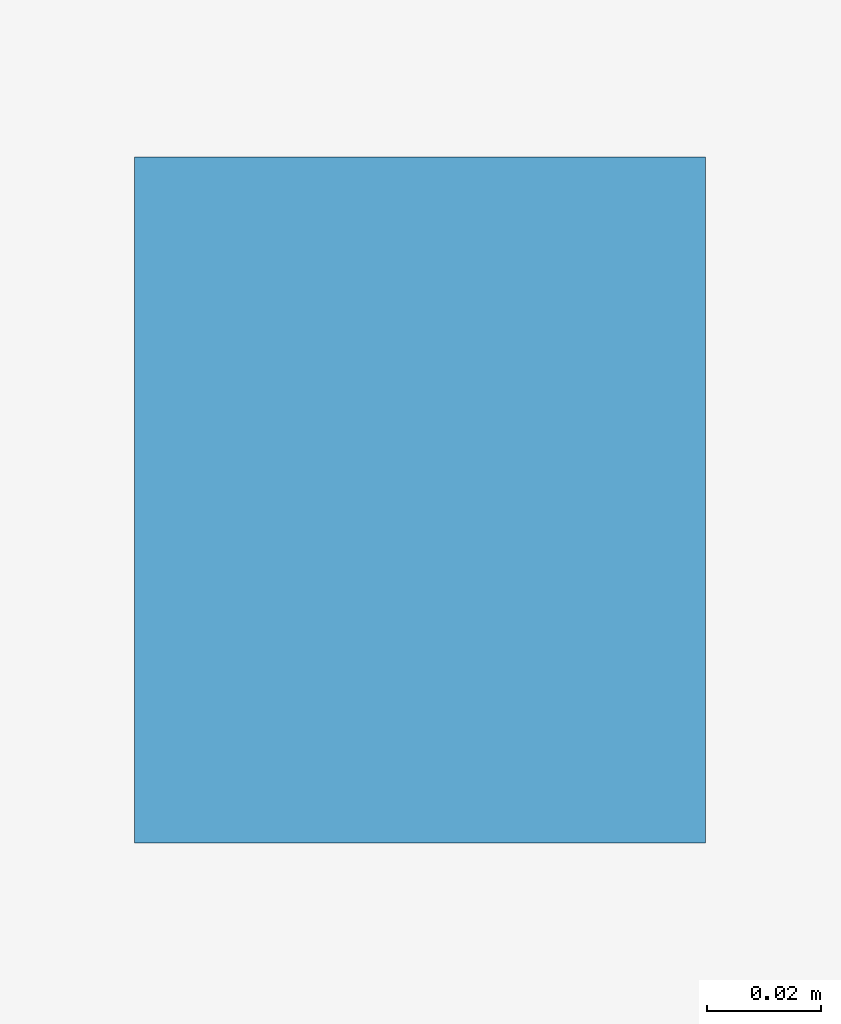
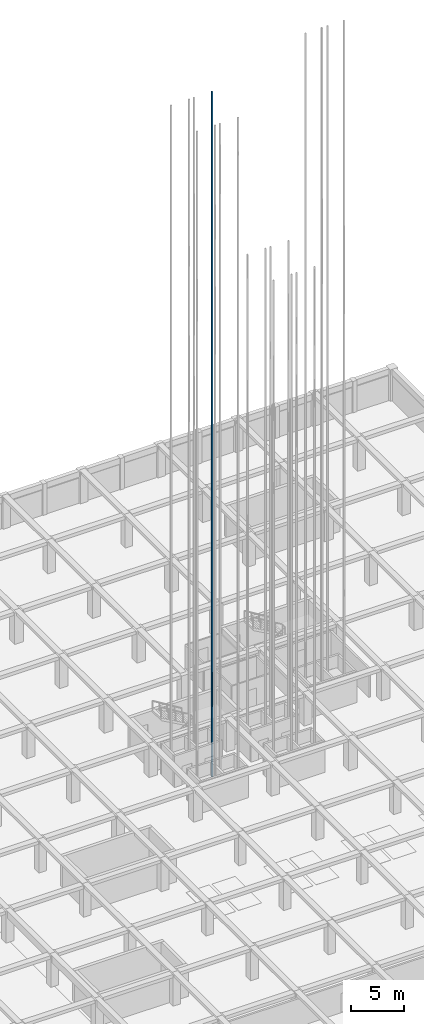
# One storey, part 32 of 47: 1 discrete accessory.
"""IFC4 building model written with IfcOpenShell, lengths in metres."""

from ifc_helpers import new_model, si_unit, direction, frame, origin, origin_2d, place, context, subcontext, project, spatial, rectangle, extrude, material, layer, layer_set, type_object, element, save


model = new_model("IFC4")

# Units and contexts
model_context = context("Model", 3, precision=1e-05, world=origin(), true_north=direction((0.0, 1.0)))
body_context = subcontext(model_context, "Body", "Model", "MODEL_VIEW")
ifc_project = project(units=[si_unit("LENGTHUNIT", "METRE"), si_unit("AREAUNIT", "SQUARE_METRE"), si_unit("VOLUMEUNIT", "CUBIC_METRE"), si_unit("PLANEANGLEUNIT", "RADIAN"), si_unit("MASSUNIT", "GRAM", prefix="KILO")], contexts=[model_context])

# Site, building, storey
site_placement = place(None, origin())
site = spatial("IfcSite", under=ifc_project, at=site_placement, CompositionType="ELEMENT")
building_placement = place(site_placement, origin())
building = spatial("IfcBuilding", under=site, at=building_placement, Name="Almacenes y Pasaje Nevantli", CompositionType="ELEMENT")
storey_placement = place(building_placement, frame((0.0, 0.0, -8.10009765625)))
storey = spatial("IfcBuildingStorey", under=building, at=storey_placement, Name="B02", CompositionType="ELEMENT", Elevation=-8.10009765625)

# Discrete accessory
ifc_material = material(Name="Steel ASTM A36", Category="steel")
ifc_layer = layer(ifc_material, 0.1201171875)
ifc_layer_set = layer_set([ifc_layer], Name="Steel ASTM A36")
discrete_accessory_type = type_object("IfcDiscreteAccessoryType", Name="ACC-LIFT-RAIL", PredefinedType="BRACKET", material=ifc_layer_set)
discrete_accessory_placement = place(storey_placement, frame((123.22998046875, 73.85009765625, -1.199951171875), z_axis=(0.0, 0.0, 1.0), x_axis=(1.0, 0.0, 0.0)))
element("IfcDiscreteAccessory", 1, at=discrete_accessory_placement, inside=storey, type_object=discrete_accessory_type, Name="Elevator Steel T-Section Guide Rail ELV-P08-E", PredefinedType="BRACKET", context=body_context, shape_type="SweptSolid", body=[
    extrude(rectangle(XDim=0.10009765625, YDim=0.1201171875, at=origin_2d()), origin(), (0.0, 0.0, 1.0), 78.5),
])

save(model, "model.ifc")
